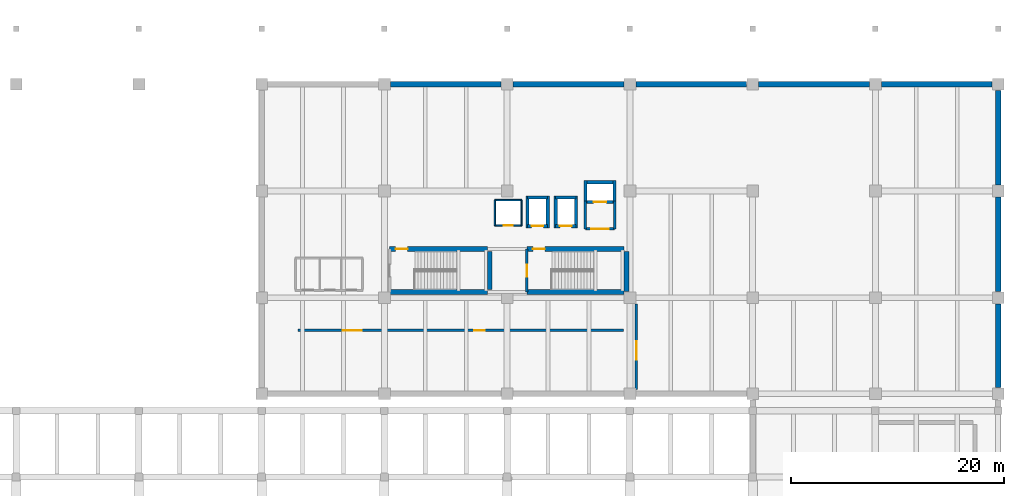
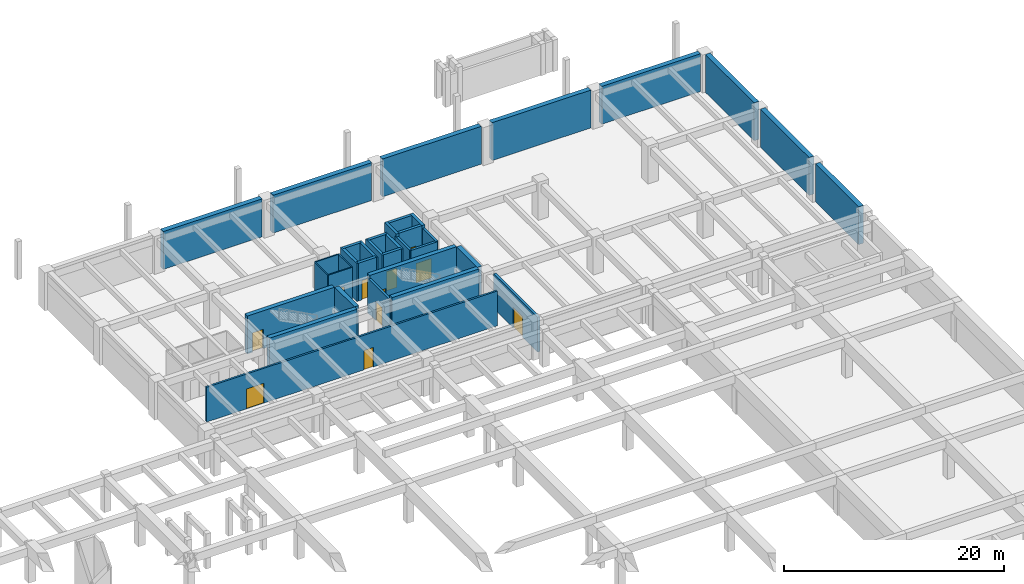
# One storey, part 15 of 20: 36 walls, 11 doors, 11 openings.
"""IFC4 building model written with IfcOpenShell, lengths in metres."""

from ifc_helpers import new_model, si_unit, direction, frame, frame_2d, origin, place, context, subcontext, project, spatial, rectangle, extrude, material, layer, layer_set, type_object, element, fill, save


model = new_model("IFC4")

# Units and contexts
model_context = context("Model", 3, precision=1e-05, world=origin(), true_north=direction((0.0, 1.0)))
body_context = subcontext(model_context, "Body", "Model", "MODEL_VIEW")
ifc_project = project(units=[si_unit("LENGTHUNIT", "METRE"), si_unit("AREAUNIT", "SQUARE_METRE"), si_unit("VOLUMEUNIT", "CUBIC_METRE"), si_unit("PLANEANGLEUNIT", "RADIAN"), si_unit("MASSUNIT", "GRAM", prefix="KILO")], contexts=[model_context])

# Site, building, storey
site_placement = place(None, origin())
site = spatial("IfcSite", under=ifc_project, at=site_placement, CompositionType="ELEMENT")
building_placement = place(site_placement, origin())
building = spatial("IfcBuilding", under=site, at=building_placement, Name="Ologun Quay Terminus", CompositionType="ELEMENT")
storey_placement = place(building_placement, frame((0.0, 0.0, -4.199951171875)))
storey = spatial("IfcBuildingStorey", under=building, at=storey_placement, Name="B01", CompositionType="ELEMENT", Elevation=-4.199951171875)

# Wall, opening, door
ifc_material_1 = material(Name="Concrete C40/50", Category="concrete")
ifc_layer_1 = layer(ifc_material_1, 0.25)
ifc_layer_set_1 = layer_set([ifc_layer_1], Name="Concrete C40/50")
wall_type_1 = type_object("IfcWallType", Name="Baggage Vault Security Wall 250", PredefinedType="SOLIDWALL", material=ifc_layer_set_1)
wall_1_placement = place(storey_placement, frame((150.10009765625, 86.199951171875, 0.0), z_axis=(0.0, 0.0, 1.0), x_axis=(0.0, 1.0, 0.0)))
wall_1 = element("IfcWall", 1, at=wall_1_placement, inside=storey, type_object=wall_type_1, Name="PW-09 Partition B01-Baggage-W", PredefinedType="SOLIDWALL", context=body_context, shape_type="SweptSolid", body=[
    extrude(rectangle(XDim=8.0, YDim=0.25, at=frame_2d((4.0, 0.0))), origin(), (0.0, 0.0, 1.0), 3.85986328125),
])
opening_1_placement = place(wall_1_placement, frame((2.800048828125, 0.0, 0.0)))
opening_1 = element("IfcOpeningElement", 2, at=opening_1_placement, cuts=wall_1, Name="Opening ID-291", PredefinedType="OPENING", context=body_context, shape_type="SweptSolid", body=[
    extrude(rectangle(XDim=1.699951171875, YDim=2.25, at=frame_2d((0.85009765625, 1.125))), frame((0.0, 0.135009765625, 0.0), z_axis=(0.0, -1.0, 0.0), x_axis=(1.0, 0.0, 0.0)), (0.0, 0.0, 1.0), 0.27001953125),
])
ifc_material_2 = material(Name="Steel S355", Category="steel")
door_type_1 = type_object("IfcDoorType", Name="Baggage Vault Fire Door 1700x2250", OperationType="DOUBLE_DOOR_SINGLE_SWING", PredefinedType="DOOR", material=ifc_material_2)
door_1_placement = place(opening_1_placement, origin())
door_1 = element("IfcDoor", 3, at=door_1_placement, inside=storey, type_object=door_type_1, Name="FD-05 Door ID-291", OperationType="DOUBLE_DOOR_SINGLE_SWING", OverallHeight=2.25, OverallWidth=1.699951171875, PredefinedType="DOOR", context=body_context, shape_type="SweptSolid", body=[
    extrude(rectangle(XDim=1.699951171875, YDim=2.25, at=frame_2d((0.85009765625, 1.125))), frame((0.0, 0.02490234375, 0.0), z_axis=(0.0, -1.0, 0.0), x_axis=(1.0, 0.0, 0.0)), (0.0, 0.0, 1.0), 0.050048828125),
])
fill(opening_1, door_1)

# Walls
ifc_material_3 = material(Name="Concrete C35/45", Category="concrete")
ifc_layer_2 = layer(ifc_material_3, 0.5)
ifc_layer_set_2 = layer_set([ifc_layer_2], Name="Concrete C35/45")
wall_type_2 = type_object("IfcWallType", Name="Basement Perimeter Retaining Wall 500", PredefinedType="SHEAR", material=ifc_layer_set_2)
wall_2_placement = place(storey_placement, frame((184.0, 86.3701171875, 0.0), z_axis=(0.0, 0.0, 1.0), x_axis=(0.0, 1.0, 0.0)))
element("IfcWall", 4, at=wall_2_placement, inside=storey, type_object=wall_type_2, Name="Retaining Wall EG-Y6 B01", PredefinedType="SHEAR", context=body_context, shape_type="SweptSolid", body=[
    extrude(rectangle(XDim=7.85986328125, YDim=0.5, at=frame_2d((3.929931640625, 0.0))), origin(), (0.0, 0.0, 1.0), 4.199951171875),
])
for number, where, z_axis, x_axis, name in (
    (5, (184.0, 95.3701171875, 0.0), (0.0, 0.0, 1.0), (0.0, 1.0, 0.0), "Retaining Wall EG-Y7 B01"),
    (6, (184.0, 105.3701171875, 0.0), (0.0, 0.0, 1.0), (0.0, 1.0, 0.0), "Retaining Wall EG-Y8 B01"),
):
    element("IfcWall", number, at=place(storey_placement, frame(where, z_axis=z_axis, x_axis=x_axis)), inside=storey, type_object=wall_type_2, Name=name, PredefinedType="SHEAR", context=body_context, shape_type="SweptSolid", body=[
        extrude(rectangle(XDim=8.85986328125, YDim=0.5, at=frame_2d((4.429931640625, 0.0))), origin(), (0.0, 0.0, 1.0), 4.199951171875),
    ])
for number, where, z_axis, x_axis, name in (
    (7, (127.070068359375, 114.800048828125, 0.0), (0.0, 0.0, 1.0), (1.0, 0.0, 0.0), "Retaining Wall NE-12 B01"),
    (8, (138.570068359375, 114.800048828125, 0.0), (0.0, 0.0, 1.0), (1.0, 0.0, 0.0), "Retaining Wall NE-13 B01"),
    (9, (150.070068359375, 114.800048828125, 0.0), (0.0, 0.0, 1.0), (1.0, 0.0, 0.0), "Retaining Wall NE-14 B01"),
    (10, (161.570068359375, 114.800048828125, 0.0), (0.0, 0.0, 1.0), (1.0, 0.0, 0.0), "Retaining Wall NE-15 B01"),
    (11, (173.070068359375, 114.800048828125, 0.0), (0.0, 0.0, 1.0), (1.0, 0.0, 0.0), "Retaining Wall NE-16 B01"),
):
    element("IfcWall", number, at=place(storey_placement, frame(where, z_axis=z_axis, x_axis=x_axis)), inside=storey, type_object=wall_type_2, Name=name, PredefinedType="SHEAR", context=body_context, shape_type="SweptSolid", body=[
        extrude(rectangle(XDim=10.35986328125, YDim=0.5, at=frame_2d((5.179931640625, 0.0))), origin(), (0.0, 0.0, 1.0), 4.199951171875),
    ])

# Wall, openings, doors
ifc_material_4 = material(Name="Concrete C40/50", Category="concrete")
ifc_layer_3 = layer(ifc_material_4, 0.199951171875)
ifc_layer_set_3 = layer_set([ifc_layer_3], Name="Concrete C40/50")
wall_type_3 = type_object("IfcWallType", Name="Corridor Fire-Rated Partition 200", PredefinedType="PARTITIONING", material=ifc_layer_set_3)
wall_3_placement = place(storey_placement, frame((118.39990234375, 91.75, 0.0), z_axis=(0.0, 0.0, 1.0), x_axis=(1.0, 0.0, 0.0)))
wall_3 = element("IfcWall", 12, at=wall_3_placement, inside=storey, type_object=wall_type_3, Name="PW-02 Partition ECor-S", PredefinedType="PARTITIONING", context=body_context, shape_type="SweptSolid", body=[
    extrude(rectangle(XDim=30.5, YDim=0.199951171875, at=frame_2d((15.25, 0.0))), origin(), (0.0, 0.0, 1.0), 3.85986328125),
])
opening_2_placement = place(wall_3_placement, frame((4.199951171875, 0.0, 0.0)))
opening_2 = element("IfcOpeningElement", 13, at=opening_2_placement, cuts=wall_3, Name="Opening ID-163", PredefinedType="OPENING", context=body_context, shape_type="SweptSolid", body=[
    extrude(rectangle(XDim=1.800048828125, YDim=2.199951171875, at=frame_2d((0.89990234375, 1.10009765625))), frame((0.0, 0.10986328125, 0.0), z_axis=(0.0, -1.0, 0.0), x_axis=(1.0, 0.0, 0.0)), (0.0, 0.0, 1.0), 0.219970703125),
])
opening_3_placement = place(wall_3_placement, frame((16.5, 0.0, 0.0)))
opening_3 = element("IfcOpeningElement", 14, at=opening_3_placement, cuts=wall_3, Name="Opening ID-164", PredefinedType="OPENING", context=body_context, shape_type="SweptSolid", body=[
    extrude(rectangle(XDim=0.97998046875, YDim=2.14990234375, at=frame_2d((0.489990234375, 1.074951171875))), frame((0.0, 0.10986328125, 0.0), z_axis=(0.0, -1.0, 0.0), x_axis=(1.0, 0.0, 0.0)), (0.0, 0.0, 1.0), 0.219970703125),
])
ifc_material_5 = material(Name="Steel S355", Category="steel")
door_type_2 = type_object("IfcDoorType", Name="Corridor Compartment Pair 1800x2200", OperationType="DOUBLE_DOOR_SINGLE_SWING", PredefinedType="DOOR", material=ifc_material_5)
door_2_placement = place(opening_2_placement, origin())
door_2 = element("IfcDoor", 15, at=door_2_placement, inside=storey, type_object=door_type_2, Name="FD-03 Door ID-163", OperationType="DOUBLE_DOOR_SINGLE_SWING", OverallHeight=2.199951171875, OverallWidth=1.800048828125, PredefinedType="DOOR", context=body_context, shape_type="SweptSolid", body=[
    extrude(rectangle(XDim=1.800048828125, YDim=2.199951171875, at=frame_2d((0.89990234375, 1.10009765625))), frame((0.0, 0.02490234375, 0.0), z_axis=(0.0, -1.0, 0.0), x_axis=(1.0, 0.0, 0.0)), (0.0, 0.0, 1.0), 0.050048828125),
])
fill(opening_2, door_2)
ifc_material_6 = material(Name="Timber Hardwood", Category="wood")
door_type_3 = type_object("IfcDoorType", Name="Operations Room Acoustic Leaf 980x2150", OperationType="SINGLE_SWING_LEFT", PredefinedType="DOOR", material=ifc_material_6)
door_3_placement = place(opening_3_placement, origin())
door_3 = element("IfcDoor", 16, at=door_3_placement, inside=storey, type_object=door_type_3, Name="ID-01 Door ID-164", OperationType="SINGLE_SWING_LEFT", OverallHeight=2.14990234375, OverallWidth=0.97998046875, PredefinedType="DOOR", context=body_context, shape_type="SweptSolid", body=[
    extrude(rectangle(XDim=0.97998046875, YDim=2.14990234375, at=frame_2d((0.489990234375, 1.074951171875))), frame((0.0, 0.02490234375, 0.0), z_axis=(0.0, -1.0, 0.0), x_axis=(1.0, 0.0, 0.0)), (0.0, 0.0, 1.0), 0.050048828125),
])
fill(opening_3, door_3)

# Wall
ifc_material_7 = material(Name="Concrete C45/55", Category="concrete")
ifc_layer_4 = layer(ifc_material_7, 0.449951171875)
ifc_layer_set_4 = layer_set([ifc_layer_4], Name="Concrete C45/55")
wall_type_4 = type_object("IfcWallType", Name="Coupled Wing Primary Core Shear Wall 450", PredefinedType="SHEAR", material=ifc_layer_set_4)
wall_4_placement = place(storey_placement, frame((127.0, 95.324951171875, 0.0), z_axis=(0.0, 0.0, 1.0), x_axis=(1.0, 0.0, 0.0)))
element("IfcWall", 17, at=wall_4_placement, inside=storey, type_object=wall_type_4, Name="EC1 Core South Shear Wall B01", PredefinedType="SHEAR", context=body_context, shape_type="SweptSolid", body=[
    extrude(rectangle(XDim=9.14990234375, YDim=0.449951171875, at=frame_2d((4.574951171875, 0.0))), origin(), (0.0, 0.0, 1.0), 4.199951171875),
])

# Wall, opening, door
wall_5_placement = place(storey_placement, frame((127.0, 99.375, 0.0), z_axis=(0.0, 0.0, 1.0), x_axis=(1.0, 0.0, 0.0)))
wall_5 = element("IfcWall", 18, at=wall_5_placement, inside=storey, type_object=wall_type_4, Name="EC1 Core North Shear Wall B01", PredefinedType="SHEAR", context=body_context, shape_type="SweptSolid", body=[
    extrude(rectangle(XDim=9.14990234375, YDim=0.449951171875, at=frame_2d((4.574951171875, 0.0))), origin(), (0.0, 0.0, 1.0), 4.199951171875),
])
opening_4_placement = place(wall_5_placement, frame((0.550048828125, 0.0, 0.0)))
opening_4 = element("IfcOpeningElement", 19, at=opening_4_placement, cuts=wall_5, Name="Opening ID-155", PredefinedType="OPENING", context=body_context, shape_type="SweptSolid", body=[
    extrude(rectangle(XDim=1.1298828125, YDim=2.14990234375, at=frame_2d((0.56494140625, 1.074951171875))), frame((0.0, 0.23486328125, 0.0), z_axis=(0.0, -1.0, 0.0), x_axis=(1.0, 0.0, 0.0)), (0.0, 0.0, 1.0), 0.469970703125),
])
ifc_material_8 = material(Name="Steel S355", Category="steel")
door_type_4 = type_object("IfcDoorType", Name="Stairwell Fire Escape Door 1130x2150", OperationType="SINGLE_SWING_LEFT", PredefinedType="DOOR", material=ifc_material_8)
door_4_placement = place(opening_4_placement, frame((0.56494140625, 0.0, 0.0), z_axis=(0.0, 0.0, 1.0), x_axis=(-1.0, 0.0, 0.0)))
door_4 = element("IfcDoor", 20, at=door_4_placement, inside=storey, type_object=door_type_4, Name="FD-01 Door ID-155", OperationType="SINGLE_SWING_LEFT", OverallHeight=2.14990234375, OverallWidth=1.1298828125, PredefinedType="DOOR", context=body_context, shape_type="SweptSolid", body=[
    extrude(rectangle(XDim=1.1298828125, YDim=2.14990234375, at=frame_2d((0.0, 1.074951171875))), frame((0.0, 0.02490234375, 0.0), z_axis=(0.0, -1.0, 0.0), x_axis=(1.0, 0.0, 0.0)), (0.0, 0.0, 1.0), 0.050048828125),
])
fill(opening_4, door_4)

# Walls
wall_6_placement = place(storey_placement, frame((136.375, 95.550048828125, 0.0), z_axis=(0.0, 0.0, 1.0), x_axis=(0.0, 1.0, 0.0)))
element("IfcWall", 21, at=wall_6_placement, inside=storey, type_object=wall_type_4, Name="EC1 Core East Shear Wall B01", PredefinedType="SHEAR", context=body_context, shape_type="SweptSolid", body=[
    extrude(rectangle(XDim=3.599853515625, YDim=0.449951171875, at=frame_2d((1.7998046875, 0.0))), origin(), (0.0, 0.0, 1.0), 4.199951171875),
])
wall_7_placement = place(storey_placement, frame((139.85009765625, 95.324951171875, 0.0), z_axis=(0.0, 0.0, 1.0), x_axis=(1.0, 0.0, 0.0)))
element("IfcWall", 22, at=wall_7_placement, inside=storey, type_object=wall_type_4, Name="EC2 Core South Shear Wall B01", PredefinedType="SHEAR", context=body_context, shape_type="SweptSolid", body=[
    extrude(rectangle(XDim=9.099853515625, YDim=0.449951171875, at=frame_2d((4.5498046875, 0.0))), origin(), (0.0, 0.0, 1.0), 4.199951171875),
])

# Wall, opening, door
wall_8_placement = place(storey_placement, frame((139.85009765625, 99.375, 0.0), z_axis=(0.0, 0.0, 1.0), x_axis=(1.0, 0.0, 0.0)))
wall_8 = element("IfcWall", 23, at=wall_8_placement, inside=storey, type_object=wall_type_4, Name="EC2 Core North Shear Wall B01", PredefinedType="SHEAR", context=body_context, shape_type="SweptSolid", body=[
    extrude(rectangle(XDim=9.099853515625, YDim=0.449951171875, at=frame_2d((4.5498046875, 0.0))), origin(), (0.0, 0.0, 1.0), 4.199951171875),
])
opening_5_placement = place(wall_8_placement, frame((0.550048828125, 0.0, 0.0)))
opening_5 = element("IfcOpeningElement", 24, at=opening_5_placement, cuts=wall_8, Name="Opening ID-157", PredefinedType="OPENING", context=body_context, shape_type="SweptSolid", body=[
    extrude(rectangle(XDim=1.1298828125, YDim=2.14990234375, at=frame_2d((0.56494140625, 1.074951171875))), frame((0.0, 0.23486328125, 0.0), z_axis=(0.0, -1.0, 0.0), x_axis=(1.0, 0.0, 0.0)), (0.0, 0.0, 1.0), 0.469970703125),
])
door_5_placement = place(opening_5_placement, frame((0.56494140625, 0.0, 0.0), z_axis=(0.0, 0.0, 1.0), x_axis=(-1.0, 0.0, 0.0)))
door_5 = element("IfcDoor", 25, at=door_5_placement, inside=storey, type_object=door_type_4, Name="FD-01 Door ID-157", OperationType="SINGLE_SWING_LEFT", OverallHeight=2.14990234375, OverallWidth=1.1298828125, PredefinedType="DOOR", context=body_context, shape_type="SweptSolid", body=[
    extrude(rectangle(XDim=1.1298828125, YDim=2.14990234375, at=frame_2d((0.0, 1.074951171875))), frame((0.0, 0.02490234375, 0.0), z_axis=(0.0, -1.0, 0.0), x_axis=(1.0, 0.0, 0.0)), (0.0, 0.0, 1.0), 0.050048828125),
])
fill(opening_5, door_5)

# Wall
wall_9_placement = place(storey_placement, frame((149.175048828125, 95.3701171875, 0.0), z_axis=(0.0, 0.0, 1.0), x_axis=(0.0, 1.0, 0.0)))
element("IfcWall", 26, at=wall_9_placement, inside=storey, type_object=wall_type_4, Name="EC2 Core East Shear Wall B01", PredefinedType="SHEAR", context=body_context, shape_type="SweptSolid", body=[
    extrude(rectangle(XDim=3.77978515625, YDim=0.449951171875, at=frame_2d((1.889892578125, 0.0))), origin(), (0.0, 0.0, 1.0), 4.199951171875),
])

# Wall, opening, door
ifc_material_9 = material(Name="Concrete C40/50", Category="concrete")
ifc_layer_5 = layer(ifc_material_9, 0.239990234375)
ifc_layer_set_5 = layer_set([ifc_layer_5], Name="Concrete C40/50")
wall_type_5 = type_object("IfcWallType", Name="Fire Compartment Blockwork Wall 240", PredefinedType="SOLIDWALL", material=ifc_layer_set_5)
wall_10_placement = place(storey_placement, frame((139.85009765625, 95.330078125, 0.0), z_axis=(0.0, 0.0, 1.0), x_axis=(0.0, 1.0, 0.0)))
wall_10 = element("IfcWall", 27, at=wall_10_placement, inside=storey, type_object=wall_type_5, Name="PW-01 Partition EStair2-W", PredefinedType="SOLIDWALL", context=body_context, shape_type="SweptSolid", body=[
    extrude(rectangle(XDim=4.0400390625, YDim=0.239990234375, at=frame_2d((2.02001953125, 0.0))), origin(), (0.0, 0.0, 1.0), 3.85986328125),
])
opening_6_placement = place(wall_10_placement, frame((1.449951171875, 0.0, 0.0)))
opening_6 = element("IfcOpeningElement", 28, at=opening_6_placement, cuts=wall_10, Name="Opening ID-156", PredefinedType="OPENING", context=body_context, shape_type="SweptSolid", body=[
    extrude(rectangle(XDim=1.1298828125, YDim=2.14990234375, at=frame_2d((0.56494140625, 1.074951171875))), frame((0.0, 0.1298828125, 0.0), z_axis=(0.0, -1.0, 0.0), x_axis=(1.0, 0.0, 0.0)), (0.0, 0.0, 1.0), 0.260009765625),
])
door_6_placement = place(opening_6_placement, frame((0.56494140625, 0.0, 0.0), z_axis=(0.0, 0.0, 1.0), x_axis=(-1.0, 0.0, 0.0)))
door_6 = element("IfcDoor", 29, at=door_6_placement, inside=storey, type_object=door_type_4, Name="FD-01 Door ID-156", OperationType="SINGLE_SWING_LEFT", OverallHeight=2.14990234375, OverallWidth=1.1298828125, PredefinedType="DOOR", context=body_context, shape_type="SweptSolid", body=[
    extrude(rectangle(XDim=1.1298828125, YDim=2.14990234375, at=frame_2d((0.0, 1.074951171875))), frame((0.0, 0.02490234375, 0.0), z_axis=(0.0, -1.0, 0.0), x_axis=(1.0, 0.0, 0.0)), (0.0, 0.0, 1.0), 0.050048828125),
])
fill(opening_6, door_6)

wall_11_placement = place(storey_placement, frame((145.320068359375, 101.25, 0.0), z_axis=(0.0, 0.0, 1.0), x_axis=(1.0, 0.0, 0.0)))
wall_11 = element("IfcWall", 30, at=wall_11_placement, inside=storey, type_object=wall_type_5, Name="PW-01 Partition EFFL-S", PredefinedType="SOLIDWALL", context=body_context, shape_type="SweptSolid", body=[
    extrude(rectangle(XDim=2.760009765625, YDim=0.239990234375, at=frame_2d((1.3798828125, 0.0))), origin(), (0.0, 0.0, 1.0), 3.85986328125),
])
opening_7_placement = place(wall_11_placement, frame((0.580078125, 0.0, 0.0)))
opening_7 = element("IfcOpeningElement", 31, at=opening_7_placement, cuts=wall_11, Name="Opening ID-158", PredefinedType="OPENING", context=body_context, shape_type="SweptSolid", body=[
    extrude(rectangle(XDim=1.60009765625, YDim=2.14990234375, at=frame_2d((0.800048828125, 1.074951171875))), frame((0.0, 0.1298828125, 0.0), z_axis=(0.0, -1.0, 0.0), x_axis=(1.0, 0.0, 0.0)), (0.0, 0.0, 1.0), 0.260009765625),
])
ifc_material_10 = material(Name="Steel S355", Category="steel")
door_type_5 = type_object("IfcDoorType", Name="Firefighting Lobby Double Smoke Door 1600x2150", OperationType="DOUBLE_DOOR_SINGLE_SWING", PredefinedType="DOOR", material=ifc_material_10)
door_7_placement = place(opening_7_placement, origin())
door_7 = element("IfcDoor", 32, at=door_7_placement, inside=storey, type_object=door_type_5, Name="FD-02 Door ID-158", OperationType="DOUBLE_DOOR_SINGLE_SWING", OverallHeight=2.14990234375, OverallWidth=1.60009765625, PredefinedType="DOOR", context=body_context, shape_type="SweptSolid", body=[
    extrude(rectangle(XDim=1.60009765625, YDim=2.14990234375, at=frame_2d((0.800048828125, 1.074951171875))), frame((0.0, 0.02490234375, 0.0), z_axis=(0.0, -1.0, 0.0), x_axis=(1.0, 0.0, 0.0)), (0.0, 0.0, 1.0), 0.050048828125),
])
fill(opening_7, door_7)

# Walls
for number, where, z_axis, x_axis, name in (
    (33, (145.320068359375, 101.25, 0.0), (0.0, 0.0, 1.0), (0.0, 1.0, 0.0), "PW-01 Partition EFFL-W"),
    (34, (148.080078125, 101.25, 0.0), (0.0, 0.0, 1.0), (0.0, 1.0, 0.0), "PW-01 Partition EFFL-E"),
):
    element("IfcWall", number, at=place(storey_placement, frame(where, z_axis=z_axis, x_axis=x_axis)), inside=storey, type_object=wall_type_5, Name=name, PredefinedType="SOLIDWALL", context=body_context, shape_type="SweptSolid", body=[
        extrude(rectangle(XDim=2.60009765625, YDim=0.239990234375, at=frame_2d((1.300048828125, 0.0))), origin(), (0.0, 0.0, 1.0), 3.85986328125),
    ])

# Wall, opening, door
ifc_material_11 = material(Name="Concrete C40/50", Category="concrete")
ifc_layer_6 = layer(ifc_material_11, 0.300048828125)
ifc_layer_set_6 = layer_set([ifc_layer_6], Name="Concrete C40/50")
wall_type_6 = type_object("IfcWallType", Name="Lift Shaft Structural Shear Wall 300", PredefinedType="SHEAR", material=ifc_layer_set_6)
wall_12_placement = place(storey_placement, frame((145.35009765625, 103.780029296875, 0.0), z_axis=(0.0, 0.0, 1.0), x_axis=(1.0, 0.0, 0.0)))
wall_12 = element("IfcWall", 35, at=wall_12_placement, inside=storey, type_object=wall_type_6, Name="Lift FFL-02 Shaft Wall S B01", PredefinedType="SHEAR", context=body_context, shape_type="SweptSolid", body=[
    extrude(rectangle(XDim=2.699951171875, YDim=0.300048828125, at=frame_2d((1.35009765625, 0.0))), origin(), (0.0, 0.0, 1.0), 4.199951171875),
])
opening_8_placement = place(wall_12_placement, frame((0.75, 0.0, 0.0)))
opening_8 = element("IfcOpeningElement", 36, at=opening_8_placement, cuts=wall_12, Name="Opening ID-009", PredefinedType="OPENING", context=body_context, shape_type="SweptSolid", body=[
    extrude(rectangle(XDim=1.199951171875, YDim=2.14990234375, at=frame_2d((0.60009765625, 1.074951171875))), frame((0.0, 0.16015625, 0.0), z_axis=(0.0, -1.0, 0.0), x_axis=(1.0, 0.0, 0.0)), (0.0, 0.0, 1.0), 0.320068359375),
])
ifc_material_12 = material(Name="Steel S355", Category="steel")
door_type_6 = type_object("IfcDoorType", Name="Firefighting Lift Landing Sliding Door 1200x2150", OperationType="SLIDING_TO_RIGHT", PredefinedType="DOOR", material=ifc_material_12)
door_8_placement = place(opening_8_placement, origin())
door_8 = element("IfcDoor", 37, at=door_8_placement, inside=storey, type_object=door_type_6, Name="LD-02 Door ID-009", OperationType="SLIDING_TO_RIGHT", OverallHeight=2.14990234375, OverallWidth=1.199951171875, PredefinedType="DOOR", context=body_context, shape_type="SweptSolid", body=[
    extrude(rectangle(XDim=1.199951171875, YDim=2.14990234375, at=frame_2d((0.60009765625, 1.074951171875))), frame((0.0, 0.02490234375, 0.0), z_axis=(0.0, -1.0, 0.0), x_axis=(1.0, 0.0, 0.0)), (0.0, 0.0, 1.0), 0.050048828125),
])
fill(opening_8, door_8)

# Walls
wall_13_placement = place(storey_placement, frame((145.35009765625, 105.6201171875, 0.0), z_axis=(0.0, 0.0, 1.0), x_axis=(1.0, 0.0, 0.0)))
element("IfcWall", 38, at=wall_13_placement, inside=storey, type_object=wall_type_6, Name="Lift FFL-02 Shaft Wall N B01", PredefinedType="SHEAR", context=body_context, shape_type="SweptSolid", body=[
    extrude(rectangle(XDim=2.699951171875, YDim=0.300048828125, at=frame_2d((1.35009765625, 0.0))), origin(), (0.0, 0.0, 1.0), 4.199951171875),
])
for number, where, z_axis, x_axis, name in (
    (39, (145.35009765625, 103.6298828125, 0.0), (0.0, 0.0, 1.0), (0.0, 1.0, 0.0), "Lift FFL-02 Shaft Wall W B01"),
    (40, (148.050048828125, 103.6298828125, 0.0), (0.0, 0.0, 1.0), (0.0, 1.0, 0.0), "Lift FFL-02 Shaft Wall E B01"),
):
    element("IfcWall", number, at=place(storey_placement, frame(where, z_axis=z_axis, x_axis=x_axis)), inside=storey, type_object=wall_type_6, Name=name, PredefinedType="SHEAR", context=body_context, shape_type="SweptSolid", body=[
        extrude(rectangle(XDim=2.14013671875, YDim=0.300048828125, at=frame_2d((1.070068359375, 0.0))), origin(), (0.0, 0.0, 1.0), 4.199951171875),
    ])

# Wall, opening, door
wall_14_placement = place(storey_placement, frame((139.89990234375, 101.5, 0.0), z_axis=(0.0, 0.0, 1.0), x_axis=(1.0, 0.0, 0.0)))
wall_14 = element("IfcWall", 41, at=wall_14_placement, inside=storey, type_object=wall_type_6, Name="Lift PL-E1 Shaft Wall S B01", PredefinedType="SHEAR", context=body_context, shape_type="SweptSolid", body=[
    extrude(rectangle(XDim=1.900146484375, YDim=0.300048828125, at=frame_2d((0.9501953125, 0.0))), origin(), (0.0, 0.0, 1.0), 4.199951171875),
])
opening_9_placement = place(wall_14_placement, frame((0.39990234375, 0.0, 0.0)))
opening_9 = element("IfcOpeningElement", 42, at=opening_9_placement, cuts=wall_14, Name="Opening ID-031", PredefinedType="OPENING", context=body_context, shape_type="SweptSolid", body=[
    extrude(rectangle(XDim=1.10009765625, YDim=2.14990234375, at=frame_2d((0.550048828125, 1.074951171875))), frame((0.0, 0.16015625, 0.0), z_axis=(0.0, -1.0, 0.0), x_axis=(1.0, 0.0, 0.0)), (0.0, 0.0, 1.0), 0.320068359375),
])
ifc_material_13 = material(Name="Steel S355", Category="steel")
door_type_7 = type_object("IfcDoorType", Name="Lift Landing Sliding Door 1100x2150", OperationType="SLIDING_TO_LEFT", PredefinedType="DOOR", material=ifc_material_13)
door_9_placement = place(opening_9_placement, origin())
door_9 = element("IfcDoor", 43, at=door_9_placement, inside=storey, type_object=door_type_7, Name="LD-01 Door ID-031", OperationType="SLIDING_TO_LEFT", OverallHeight=2.14990234375, OverallWidth=1.10009765625, PredefinedType="DOOR", context=body_context, shape_type="SweptSolid", body=[
    extrude(rectangle(XDim=1.10009765625, YDim=2.14990234375, at=frame_2d((0.550048828125, 1.074951171875))), frame((0.0, 0.02490234375, 0.0), z_axis=(0.0, -1.0, 0.0), x_axis=(1.0, 0.0, 0.0)), (0.0, 0.0, 1.0), 0.050048828125),
])
fill(opening_9, door_9)

# Walls
wall_15_placement = place(storey_placement, frame((139.89990234375, 104.199951171875, 0.0), z_axis=(0.0, 0.0, 1.0), x_axis=(1.0, 0.0, 0.0)))
element("IfcWall", 44, at=wall_15_placement, inside=storey, type_object=wall_type_6, Name="Lift PL-E1 Shaft Wall N B01", PredefinedType="SHEAR", context=body_context, shape_type="SweptSolid", body=[
    extrude(rectangle(XDim=1.900146484375, YDim=0.300048828125, at=frame_2d((0.9501953125, 0.0))), origin(), (0.0, 0.0, 1.0), 4.199951171875),
])
for number, where, z_axis, x_axis, name in (
    (45, (139.89990234375, 101.35009765625, 0.0), (0.0, 0.0, 1.0), (0.0, 1.0, 0.0), "Lift PL-E1 Shaft Wall W B01"),
    (46, (141.800048828125, 101.35009765625, 0.0), (0.0, 0.0, 1.0), (0.0, 1.0, 0.0), "Lift PL-E1 Shaft Wall E B01"),
):
    element("IfcWall", number, at=place(storey_placement, frame(where, z_axis=z_axis, x_axis=x_axis)), inside=storey, type_object=wall_type_6, Name=name, PredefinedType="SHEAR", context=body_context, shape_type="SweptSolid", body=[
        extrude(rectangle(XDim=3.0, YDim=0.300048828125, at=frame_2d((1.5, 0.0))), origin(), (0.0, 0.0, 1.0), 4.199951171875),
    ])

# Wall, opening, door
wall_16_placement = place(storey_placement, frame((142.550048828125, 101.5, 0.0), z_axis=(0.0, 0.0, 1.0), x_axis=(1.0, 0.0, 0.0)))
wall_16 = element("IfcWall", 47, at=wall_16_placement, inside=storey, type_object=wall_type_6, Name="Lift PL-E2 Shaft Wall S B01", PredefinedType="SHEAR", context=body_context, shape_type="SweptSolid", body=[
    extrude(rectangle(XDim=1.89990234375, YDim=0.300048828125, at=frame_2d((0.949951171875, 0.0))), origin(), (0.0, 0.0, 1.0), 4.199951171875),
])
opening_10_placement = place(wall_16_placement, frame((0.39990234375, 0.0, 0.0)))
opening_10 = element("IfcOpeningElement", 48, at=opening_10_placement, cuts=wall_16, Name="Opening ID-039", PredefinedType="OPENING", context=body_context, shape_type="SweptSolid", body=[
    extrude(rectangle(XDim=1.10009765625, YDim=2.14990234375, at=frame_2d((0.550048828125, 1.074951171875))), frame((0.0, 0.16015625, 0.0), z_axis=(0.0, -1.0, 0.0), x_axis=(1.0, 0.0, 0.0)), (0.0, 0.0, 1.0), 0.320068359375),
])
door_10_placement = place(opening_10_placement, origin())
door_10 = element("IfcDoor", 49, at=door_10_placement, inside=storey, type_object=door_type_7, Name="LD-01 Door ID-039", OperationType="SLIDING_TO_LEFT", OverallHeight=2.14990234375, OverallWidth=1.10009765625, PredefinedType="DOOR", context=body_context, shape_type="SweptSolid", body=[
    extrude(rectangle(XDim=1.10009765625, YDim=2.14990234375, at=frame_2d((0.550048828125, 1.074951171875))), frame((0.0, 0.02490234375, 0.0), z_axis=(0.0, -1.0, 0.0), x_axis=(1.0, 0.0, 0.0)), (0.0, 0.0, 1.0), 0.050048828125),
])
fill(opening_10, door_10)

# Walls
wall_17_placement = place(storey_placement, frame((142.550048828125, 104.199951171875, 0.0), z_axis=(0.0, 0.0, 1.0), x_axis=(1.0, 0.0, 0.0)))
element("IfcWall", 50, at=wall_17_placement, inside=storey, type_object=wall_type_6, Name="Lift PL-E2 Shaft Wall N B01", PredefinedType="SHEAR", context=body_context, shape_type="SweptSolid", body=[
    extrude(rectangle(XDim=1.89990234375, YDim=0.300048828125, at=frame_2d((0.949951171875, 0.0))), origin(), (0.0, 0.0, 1.0), 4.199951171875),
])
for number, where, z_axis, x_axis, name in (
    (51, (142.550048828125, 101.35009765625, 0.0), (0.0, 0.0, 1.0), (0.0, 1.0, 0.0), "Lift PL-E2 Shaft Wall W B01"),
    (52, (144.449951171875, 101.35009765625, 0.0), (0.0, 0.0, 1.0), (0.0, 1.0, 0.0), "Lift PL-E2 Shaft Wall E B01"),
):
    element("IfcWall", number, at=place(storey_placement, frame(where, z_axis=z_axis, x_axis=x_axis)), inside=storey, type_object=wall_type_6, Name=name, PredefinedType="SHEAR", context=body_context, shape_type="SweptSolid", body=[
        extrude(rectangle(XDim=3.0, YDim=0.300048828125, at=frame_2d((1.5, 0.0))), origin(), (0.0, 0.0, 1.0), 4.199951171875),
    ])

# Wall, opening, door
ifc_material_14 = material(Name="Concrete C40/50", Category="concrete")
ifc_layer_7 = layer(ifc_material_14, 0.1298828125)
ifc_layer_set_7 = layer_set([ifc_layer_7], Name="Concrete C40/50")
wall_type_7 = type_object("IfcWallType", Name="Riser & Service Duct Wall 130", PredefinedType="PLUMBINGWALL", material=ifc_layer_set_7)
wall_18_placement = place(storey_placement, frame((136.85009765625, 101.550048828125, 0.0), z_axis=(0.0, 0.0, 1.0), x_axis=(1.0, 0.0, 0.0)))
wall_18 = element("IfcWall", 53, at=wall_18_placement, inside=storey, type_object=wall_type_7, Name="PW-07 Partition ERiser-S", PredefinedType="PLUMBINGWALL", context=body_context, shape_type="SweptSolid", body=[
    extrude(rectangle(XDim=2.5, YDim=0.1298828125, at=frame_2d((1.25, 0.0))), origin(), (0.0, 0.0, 1.0), 3.85986328125),
])
opening_11_placement = place(wall_18_placement, frame((0.820068359375, 0.0, 0.0)))
opening_11 = element("IfcOpeningElement", 54, at=opening_11_placement, cuts=wall_18, Name="Opening ID-159", PredefinedType="OPENING", context=body_context, shape_type="SweptSolid", body=[
    extrude(rectangle(XDim=0.85009765625, YDim=2.0, at=frame_2d((0.425048828125, 1.0))), frame((0.0, 0.074951171875, 0.0), z_axis=(0.0, -1.0, 0.0), x_axis=(1.0, 0.0, 0.0)), (0.0, 0.0, 1.0), 0.14990234375),
])
ifc_material_15 = material(Name="Steel S355", Category="steel")
door_type_8 = type_object("IfcDoorType", Name="MEP Riser Access Trapdoor 850x2000", OperationType="SINGLE_SWING_LEFT", PredefinedType="TRAPDOOR", material=ifc_material_15)
door_11_placement = place(opening_11_placement, origin())
door_11 = element("IfcDoor", 55, at=door_11_placement, inside=storey, type_object=door_type_8, Name="RD-01 Door ID-159", OperationType="SINGLE_SWING_LEFT", OverallHeight=2.0, OverallWidth=0.85009765625, PredefinedType="TRAPDOOR", context=body_context, shape_type="SweptSolid", body=[
    extrude(rectangle(XDim=0.85009765625, YDim=2.0, at=frame_2d((0.425048828125, 1.0))), frame((0.0, 0.02490234375, 0.0), z_axis=(0.0, -1.0, 0.0), x_axis=(1.0, 0.0, 0.0)), (0.0, 0.0, 1.0), 0.050048828125),
])
fill(opening_11, door_11)

# Walls
for number, where, z_axis, x_axis, name in (
    (56, (136.85009765625, 101.550048828125, 0.0), (0.0, 0.0, 1.0), (0.0, 1.0, 0.0), "PW-07 Partition ERiser-W"),
    (57, (139.35009765625, 101.550048828125, 0.0), (0.0, 0.0, 1.0), (0.0, 1.0, 0.0), "PW-07 Partition ERiser-E"),
):
    element("IfcWall", number, at=place(storey_placement, frame(where, z_axis=z_axis, x_axis=x_axis)), inside=storey, type_object=wall_type_7, Name=name, PredefinedType="PLUMBINGWALL", context=body_context, shape_type="SweptSolid", body=[
        extrude(rectangle(XDim=2.39990234375, YDim=0.1298828125, at=frame_2d((1.199951171875, 0.0))), origin(), (0.0, 0.0, 1.0), 3.85986328125),
    ])
wall_19_placement = place(storey_placement, frame((136.85009765625, 103.949951171875, 0.0), z_axis=(0.0, 0.0, 1.0), x_axis=(1.0, 0.0, 0.0)))
element("IfcWall", 58, at=wall_19_placement, inside=storey, type_object=wall_type_7, Name="PW-07 Partition ERiser-N", PredefinedType="PLUMBINGWALL", context=body_context, shape_type="SweptSolid", body=[
    extrude(rectangle(XDim=2.5, YDim=0.1298828125, at=frame_2d((1.25, 0.0))), origin(), (0.0, 0.0, 1.0), 3.85986328125),
])

save(model, "model.ifc")
